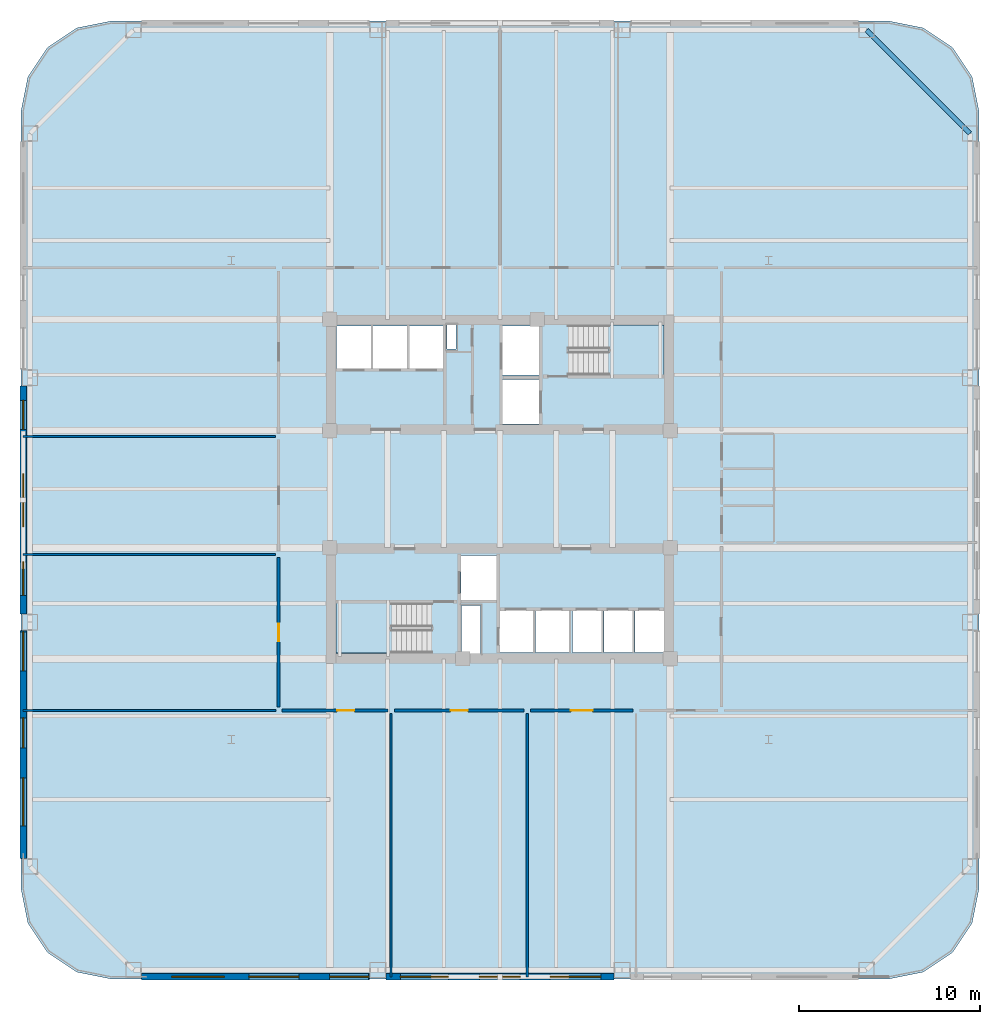
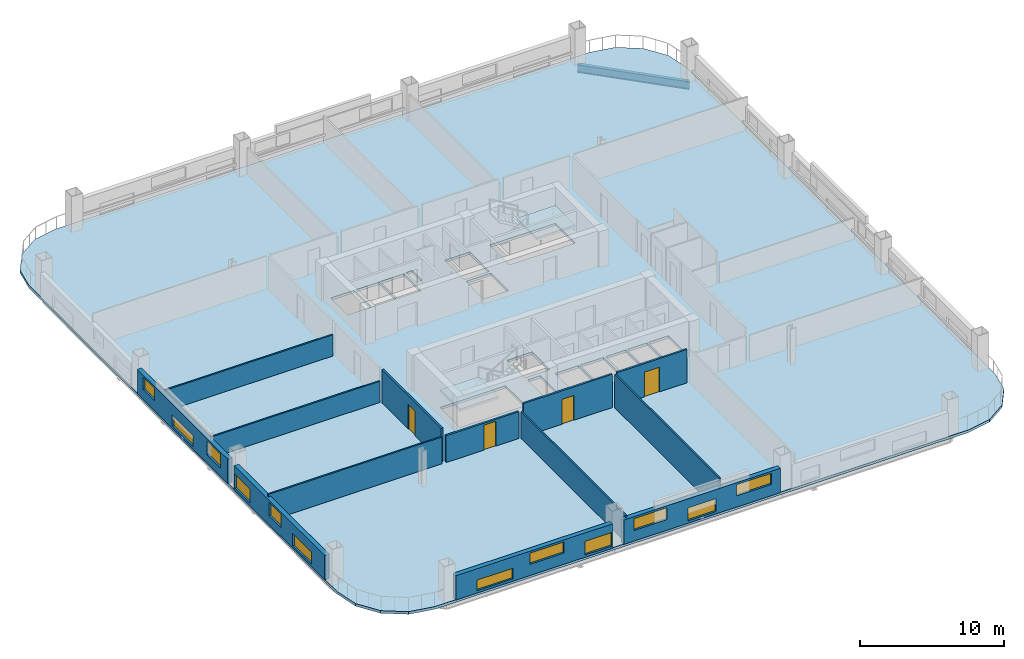
# One storey, part 2 of 12: 13 walls, 12 windows, 4 doors, 3 slabs, 1 beam, 16 openings, 2 elements without a shape of their own.
"""IFC4 building model written with IfcOpenShell, lengths in metres."""

from ifc_helpers import new_model, si_unit, direction, frame, frame_2d, origin, origin_2d, place, context, subcontext, project, spatial, polyline, rectangle, i_section, outline, extrude, material, layer, layer_set, material_profile, profile_set, type_object, element, fill, aggregate, save


model = new_model("IFC4")

# Units and contexts
model_context = context("Model", 3, precision=1e-05, world=origin(), true_north=direction((0.0, 1.0)))
body_context = subcontext(model_context, "Body", "Model", "MODEL_VIEW")
ifc_project = project(units=[si_unit("LENGTHUNIT", "METRE"), si_unit("AREAUNIT", "SQUARE_METRE"), si_unit("VOLUMEUNIT", "CUBIC_METRE"), si_unit("PLANEANGLEUNIT", "RADIAN"), si_unit("MASSUNIT", "GRAM", prefix="KILO")], contexts=[model_context])

# Site, building, storey
site_placement = place(None, origin())
site = spatial("IfcSite", under=ifc_project, at=site_placement, CompositionType="ELEMENT")
building_placement = place(site_placement, origin())
building = spatial("IfcBuilding", under=site, at=building_placement, Name="Qhalaya Broadcast Tower", CompositionType="ELEMENT")
storey_placement = place(building_placement, frame((0.0, 0.0, 47.449951171875)))
storey = spatial("IfcBuildingStorey", under=building, at=storey_placement, Name="L13", CompositionType="ELEMENT", Elevation=47.449951171875)

# Beam
ifc_material_1 = material(Name="Structural Steel ASTM A992 Grade 50", Category="steel")
ifc_material_profile = material_profile(ifc_material_1, i_section(OverallWidth=0.25390625, OverallDepth=0.68310546875, WebThickness=0.012451171875, FlangeThickness=0.01904296875, at=origin_2d()), Name="W27X94")
ifc_profile_set = profile_set([ifc_material_profile], Name="Structural Steel ASTM A992 Grade 50")
beam_type = type_object("IfcBeamType", Name="Perimeter Ring Spandrel Beam SP1", PredefinedType="SPANDREL", material=ifc_profile_set)
beam_placement = place(storey_placement, frame((25.89990234375, 20.199951171875, -0.5615234375), z_axis=(-0.707106781187, 0.707106781187, 0.0), x_axis=(-0.707106781187, -0.707106781187, 0.0)))
element("IfcBeam", 1, at=beam_placement, inside=storey, type_object=beam_type, Name="L13 SP1 L13-SPR-08", PredefinedType="SPANDREL", context=body_context, shape_type="SweptSolid", body=[
    extrude(i_section(OverallWidth=0.25390625, OverallDepth=0.68310546875, WebThickness=0.012451171875, FlangeThickness=0.01904296875, at=origin_2d()), origin(), (0.0, 0.0, 1.0), 8.06103515625),
])

# Stair, slab
ifc_material_2 = material(Name="Concrete C40/50", Category="concrete")
stair_type = type_object("IfcStairType", Name="Protected Dogleg Core Stair 3150", PredefinedType="TWO_STRAIGHT_RUN_STAIR", material=ifc_material_2)
stair_1_placement = place(storey_placement, origin())
stair_1 = element("IfcStair", 2, at=stair_1_placement, inside=storey, type_object=stair_type, Name="L13 North Core Exit Stair ST-1", PredefinedType="TWO_STRAIGHT_RUN_STAIR")
ifc_layer_1 = layer(ifc_material_2, 0.199951171875, Name="Concrete C40/50")
ifc_layer_set_1 = layer_set([ifc_layer_1], Name="Concrete C40/50")
slab_type_1 = type_object("IfcSlabType", Name="Stair & Ramp Half-Landing Slab 200", PredefinedType="LANDING", material=ifc_layer_set_1)
slab_1_placement = place(storey_placement, frame((0.0, 0.0, 1.324951171875)))
slab_1 = element("IfcSlab", 3, at=slab_1_placement, type_object=slab_type_1, Name="ST-1 landing 1", PredefinedType="LANDING", context=body_context, shape_type="SweptSolid", body=[
    extrude(outline(polyline([(5.955078125, 6.8798828125), (9.050048828125, 6.8798828125), (9.050048828125, 9.639892578125), (5.955078125, 9.639892578125), (5.955078125, 6.8798828125)])), origin(), (0.0, 0.0, 1.0), 0.2001953125),
])
aggregate(stair_1, [slab_1])

stair_2_placement = place(storey_placement, origin())
stair_2 = element("IfcStair", 4, at=stair_2_placement, inside=storey, type_object=stair_type, Name="L13 South Core Exit Stair ST-2", PredefinedType="TWO_STRAIGHT_RUN_STAIR")
slab_2_placement = place(storey_placement, frame((0.0, 0.0, 1.324951171875)))
slab_2 = element("IfcSlab", 5, at=slab_2_placement, type_object=slab_type_1, Name="ST-2 landing 1", PredefinedType="LANDING", context=body_context, shape_type="SweptSolid", body=[
    extrude(outline(polyline([(-5.955078125, -5.679931640625), (-9.050048828125, -5.679931640625), (-9.050048828125, -8.43994140625), (-5.955078125, -8.43994140625), (-5.955078125, -5.679931640625)])), origin(), (0.0, 0.0, 1.0), 0.2001953125),
])
aggregate(stair_2, [slab_2])

# Slab
ifc_layer_2 = layer(ifc_material_2, 0.219970703125, Name="Concrete C40/50")
ifc_layer_set_2 = layer_set([ifc_layer_2], Name="Concrete C40/50")
slab_type_2 = type_object("IfcSlabType", Name="Tower Composite Floor Slab 220", PredefinedType="FLOOR", material=ifc_layer_set_2)
slab_3_placement = place(storey_placement, frame((0.0, 0.0, -0.219970703125)))
element("IfcSlab", 6, at=slab_3_placement, inside=storey, type_object=slab_type_2, Name="L13 Main Structural Floor Slab", PredefinedType="FLOOR", context=body_context, shape_type="SweptSolid", body=[
    extrude(outline(polyline([(21.39990234375, -26.39990234375), (23.3134765625, -26.019287109375), (24.935546875, -24.935546875), (26.019287109375, -23.3134765625), (26.39990234375, -21.39990234375), (26.39990234375, 21.39990234375), (26.019287109375, 23.3134765625), (24.935546875, 24.935546875), (23.3134765625, 26.019287109375), (21.39990234375, 26.39990234375), (-21.39990234375, 26.39990234375), (-23.3134765625, 26.019287109375), (-24.935546875, 24.935546875), (-26.019287109375, 23.3134765625), (-26.39990234375, 21.39990234375), (-26.39990234375, -21.39990234375), (-26.019287109375, -23.3134765625), (-24.935546875, -24.935546875), (-23.3134765625, -26.019287109375), (-21.39990234375, -26.39990234375), (21.39990234375, -26.39990234375)]), holes=[polyline([(3.784912109375, 9.639892578125), (9.050048828125, 9.639892578125), (9.050048828125, 6.8798828125), (3.784912109375, 6.8798828125), (3.784912109375, 9.639892578125)]), polyline([(-3.784912109375, -8.43994140625), (-9.050048828125, -8.43994140625), (-9.050048828125, -5.679931640625), (-3.784912109375, -5.679931640625), (-3.784912109375, -8.43994140625)]), polyline([(0.14990234375, 6.64990234375), (2.14990234375, 6.64990234375), (2.14990234375, 4.199951171875), (0.14990234375, 4.199951171875), (0.14990234375, 6.64990234375)]), polyline([(0.14990234375, 9.60009765625), (2.14990234375, 9.60009765625), (2.14990234375, 6.89990234375), (0.14990234375, 6.89990234375), (0.14990234375, 9.60009765625)]), polyline([(-2.14990234375, -3.050048828125), (-0.14990234375, -3.050048828125), (-0.14990234375, -5.5), (-2.14990234375, -5.5), (-2.14990234375, -3.050048828125)]), polyline([(-9.0, 9.60009765625), (-7.1201171875, 9.60009765625), (-7.1201171875, 7.25), (-9.0, 7.25), (-9.0, 9.60009765625)]), polyline([(-7.0, 9.60009765625), (-5.1201171875, 9.60009765625), (-5.1201171875, 7.25), (-7.0, 7.25), (-7.0, 9.60009765625)]), polyline([(-5.0, 9.60009765625), (-3.1201171875, 9.60009765625), (-3.1201171875, 7.25), (-5.0, 7.25), (-5.0, 9.60009765625)]), polyline([(-0.050048828125, -6.10009765625), (1.830078125, -6.10009765625), (1.830078125, -8.39990234375), (-0.050048828125, -8.39990234375), (-0.050048828125, -6.10009765625)]), polyline([(1.949951171875, -6.10009765625), (3.830078125, -6.10009765625), (3.830078125, -8.39990234375), (1.949951171875, -8.39990234375), (1.949951171875, -6.10009765625)]), polyline([(4.0, -6.10009765625), (5.60009765625, -6.10009765625), (5.60009765625, -8.39990234375), (4.0, -8.39990234375), (4.0, -6.10009765625)]), polyline([(5.719970703125, -6.10009765625), (7.320068359375, -6.10009765625), (7.320068359375, -8.39990234375), (5.719970703125, -8.39990234375), (5.719970703125, -6.10009765625)]), polyline([(7.43994140625, -6.10009765625), (9.0400390625, -6.10009765625), (9.0400390625, -8.39990234375), (7.43994140625, -8.39990234375), (7.43994140625, -6.10009765625)]), polyline([(-2.919921875, 9.659912109375), (-2.419921875, 9.659912109375), (-2.419921875, 8.320068359375), (-2.919921875, 8.320068359375), (-2.919921875, 9.659912109375)]), polyline([(-2.1201171875, -5.820068359375), (-1.080078125, -5.820068359375), (-1.080078125, -8.4599609375), (-2.1201171875, -8.4599609375), (-2.1201171875, -5.820068359375)])]), origin(), (0.0, 0.0, 1.0), 0.219970703125),
])

# Wall, opening, door
ifc_material_3 = material(Name="Gypsum Acoustic Partition")
ifc_layer_3 = layer(ifc_material_3, 0.14990234375, Name="Gypsum Acoustic Partition")
ifc_layer_set_3 = layer_set([ifc_layer_3], Name="Gypsum Acoustic Partition")
wall_type_1 = type_object("IfcWallType", Name="Corridor & Tenancy Acoustic Partition 150", PredefinedType="PARTITIONING", material=ifc_layer_set_3)
wall_1_placement = place(storey_placement, frame((-12.02001953125, -11.60009765625, 0.0), z_axis=(0.0, 0.0, 1.0), x_axis=(1.0, 0.0, 0.0)))
wall_1 = element("IfcWall", 7, at=wall_1_placement, inside=storey, type_object=wall_type_1, Name="L13 Partition Wall W-COR-05", PredefinedType="PARTITIONING", context=body_context, shape_type="SweptSolid", body=[
    extrude(rectangle(XDim=5.840087890625, YDim=0.14990234375, at=frame_2d((2.919921875, 0.0))), origin(), (0.0, 0.0, 1.0), 2.274169921875),
])
opening_1_placement = place(wall_1_placement, frame((3.044921875, 0.0, 0.0)))
opening_1 = element("IfcOpeningElement", 8, at=opening_1_placement, cuts=wall_1, Name="Opening D10", PredefinedType="OPENING", context=body_context, shape_type="SweptSolid", body=[
    extrude(rectangle(XDim=0.949951171875, YDim=2.10009765625, at=frame_2d((0.47509765625, 1.050048828125))), frame((0.0, 0.0869140625, 0.0), z_axis=(0.0, -1.0, 0.0), x_axis=(1.0, 0.0, 0.0)), (0.0, 0.0, 1.0), 0.173828125),
])
ifc_material_4 = material(Name="Timber Veneer Acoustic Door", Category="wood")
door_type_1 = type_object("IfcDoorType", Name="Cellular Office & Edit Booth Door D10", OperationType="NOTDEFINED", PredefinedType="DOOR", material=ifc_material_4)
door_1_placement = place(opening_1_placement, origin())
door_1 = element("IfcDoor", 9, at=door_1_placement, inside=storey, type_object=door_type_1, Name="L13 Door D-RM05", OperationType="SINGLE_SWING_LEFT", OverallHeight=2.10009765625, OverallWidth=0.949951171875, PredefinedType="DOOR", context=body_context, shape_type="SweptSolid", body=[
    extrude(rectangle(XDim=0.949951171875, YDim=2.10009765625, at=frame_2d((0.47509765625, 1.050048828125))), frame((0.0, 0.02490234375, 0.0), z_axis=(0.0, -1.0, 0.0), x_axis=(1.0, 0.0, 0.0)), (0.0, 0.0, 1.0), 0.050048828125),
])
fill(opening_1, door_1)

wall_2_placement = place(storey_placement, frame((-5.820068359375, -11.60009765625, 0.0), z_axis=(0.0, 0.0, 1.0), x_axis=(1.0, 0.0, 0.0)))
wall_2 = element("IfcWall", 10, at=wall_2_placement, inside=storey, type_object=wall_type_1, Name="L13 Partition Wall W-COR-06", PredefinedType="PARTITIONING", context=body_context, shape_type="SweptSolid", body=[
    extrude(rectangle(XDim=7.14013671875, YDim=0.14990234375, at=frame_2d((3.570068359375, 0.0))), origin(), (0.0, 0.0, 1.0), 2.830078125),
])
opening_2_placement = place(wall_2_placement, frame((3.094970703125, 0.0, 0.0)))
opening_2 = element("IfcOpeningElement", 11, at=opening_2_placement, cuts=wall_2, Name="Opening D10", PredefinedType="OPENING", context=body_context, shape_type="SweptSolid", body=[
    extrude(rectangle(XDim=0.949951171875, YDim=2.10009765625, at=frame_2d((0.47509765625, 1.050048828125))), frame((0.0, 0.0869140625, 0.0), z_axis=(0.0, -1.0, 0.0), x_axis=(1.0, 0.0, 0.0)), (0.0, 0.0, 1.0), 0.173828125),
])
door_2_placement = place(opening_2_placement, origin())
door_2 = element("IfcDoor", 12, at=door_2_placement, inside=storey, type_object=door_type_1, Name="L13 Door D-RM06", OperationType="SINGLE_SWING_RIGHT", OverallHeight=2.10009765625, OverallWidth=0.949951171875, PredefinedType="DOOR", context=body_context, shape_type="SweptSolid", body=[
    extrude(rectangle(XDim=0.949951171875, YDim=2.10009765625, at=frame_2d((0.47509765625, 1.050048828125))), frame((0.0, 0.02490234375, 0.0), z_axis=(0.0, -1.0, 0.0), x_axis=(1.0, 0.0, 0.0)), (0.0, 0.0, 1.0), 0.050048828125),
])
fill(opening_2, door_2)

wall_3_placement = place(storey_placement, frame((1.679931640625, -11.60009765625, 0.0), z_axis=(0.0, 0.0, 1.0), x_axis=(1.0, 0.0, 0.0)))
wall_3 = element("IfcWall", 13, at=wall_3_placement, inside=storey, type_object=wall_type_1, Name="L13 Partition Wall W-COR-07", PredefinedType="PARTITIONING", context=body_context, shape_type="SweptSolid", body=[
    extrude(rectangle(XDim=5.64013671875, YDim=0.14990234375, at=frame_2d((2.820068359375, 0.0))), origin(), (0.0, 0.0, 1.0), 2.830078125),
])
opening_3_placement = place(wall_3_placement, frame((2.219970703125, 0.0, 0.0)))
opening_3 = element("IfcOpeningElement", 14, at=opening_3_placement, cuts=wall_3, Name="Opening D11", PredefinedType="OPENING", context=body_context, shape_type="SweptSolid", body=[
    extrude(rectangle(XDim=1.199951171875, YDim=2.10009765625, at=frame_2d((0.60009765625, 1.050048828125))), frame((0.0, 0.0869140625, 0.0), z_axis=(0.0, -1.0, 0.0), x_axis=(1.0, 0.0, 0.0)), (0.0, 0.0, 1.0), 0.173828125),
])
ifc_material_5 = material(Name="Anodised Aluminium Glazed Door", Category="aluminium")
door_type_2 = type_object("IfcDoorType", Name="Conference, Boardroom & Studio Control Door D11", OperationType="NOTDEFINED", PredefinedType="DOOR", material=ifc_material_5)
door_3_placement = place(opening_3_placement, origin())
door_3 = element("IfcDoor", 15, at=door_3_placement, inside=storey, type_object=door_type_2, Name="L13 Door D-RM07", OperationType="SINGLE_SWING_LEFT", OverallHeight=2.10009765625, OverallWidth=1.199951171875, PredefinedType="DOOR", context=body_context, shape_type="SweptSolid", body=[
    extrude(rectangle(XDim=1.199951171875, YDim=2.10009765625, at=frame_2d((0.60009765625, 1.050048828125))), frame((0.0, 0.02490234375, 0.0), z_axis=(0.0, -1.0, 0.0), x_axis=(1.0, 0.0, 0.0)), (0.0, 0.0, 1.0), 0.050048828125),
])
fill(opening_3, door_3)

wall_4_placement = place(storey_placement, frame((-12.199951171875, -11.419921875, 0.0), z_axis=(0.0, 0.0, 1.0), x_axis=(0.0, 1.0, 0.0)))
wall_4 = element("IfcWall", 16, at=wall_4_placement, inside=storey, type_object=wall_type_1, Name="L13 Partition Wall W-COR-09", PredefinedType="PARTITIONING", context=body_context, shape_type="SweptSolid", body=[
    extrude(rectangle(XDim=8.239990234375, YDim=0.14990234375, at=frame_2d((4.1201171875, 0.0))), origin(), (0.0, 0.0, 1.0), 2.830078125),
])
opening_4_placement = place(wall_4_placement, frame((3.64501953125, 0.0, 0.0)))
opening_4 = element("IfcOpeningElement", 17, at=opening_4_placement, cuts=wall_4, Name="Opening D10", PredefinedType="OPENING", context=body_context, shape_type="SweptSolid", body=[
    extrude(rectangle(XDim=0.949951171875, YDim=2.10009765625, at=frame_2d((0.47509765625, 1.050048828125))), frame((0.0, 0.0869140625, 0.0), z_axis=(0.0, -1.0, 0.0), x_axis=(1.0, 0.0, 0.0)), (0.0, 0.0, 1.0), 0.173828125),
])
door_4_placement = place(opening_4_placement, origin())
door_4 = element("IfcDoor", 18, at=door_4_placement, inside=storey, type_object=door_type_1, Name="L13 Door D-RM09", OperationType="SINGLE_SWING_LEFT", OverallHeight=2.10009765625, OverallWidth=0.949951171875, PredefinedType="DOOR", context=body_context, shape_type="SweptSolid", body=[
    extrude(rectangle(XDim=0.949951171875, YDim=2.10009765625, at=frame_2d((0.47509765625, 1.050048828125))), frame((0.0, 0.02490234375, 0.0), z_axis=(0.0, -1.0, 0.0), x_axis=(1.0, 0.0, 0.0)), (0.0, 0.0, 1.0), 0.050048828125),
])
fill(opening_4, door_4)

# Wall, openings, windows
ifc_material_6 = material(Name="Precast Concrete C40/50", Category="concrete")
ifc_layer_4 = layer(ifc_material_6, 0.360107421875, Name="Precast Concrete C40/50")
ifc_layer_set_4 = layer_set([ifc_layer_4], Name="Precast Concrete C40/50")
wall_type_2 = type_object("IfcWallType", Name="Insulated Precast Terracotta Exterior Wall 360", PredefinedType="SOLIDWALL", material=ifc_layer_set_4)
wall_5_placement = place(storey_placement, frame((6.283203125, -26.260009765625, 0.0), z_axis=(0.0, 0.0, 1.0), x_axis=(-1.0, 0.0, 0.0)))
wall_5 = element("IfcWall", 19, at=wall_5_placement, inside=storey, type_object=wall_type_2, Name="L13 Exoskeleton Diagrid Infill Wall S2", PredefinedType="SOLIDWALL", context=body_context, shape_type="SweptSolid", body=[
    extrude(rectangle(XDim=12.56640625, YDim=0.360107421875, at=frame_2d((6.283203125, 0.0))), origin(), (0.0, 0.0, 1.0), 2.067138671875),
])
opening_5_placement = place(wall_5_placement, frame((0.720947265625, 0.0, 0.949951171875)))
opening_5 = element("IfcOpeningElement", 20, at=opening_5_placement, cuts=wall_5, Name="Opening W11", PredefinedType="OPENING", context=body_context, shape_type="SweptSolid", body=[
    extrude(rectangle(XDim=2.800048828125, YDim=0.949951171875, at=frame_2d((1.39990234375, 0.47509765625))), frame((0.0, 0.192138671875, 0.0), z_axis=(0.0, -1.0, 0.0), x_axis=(1.0, 0.0, 0.0)), (0.0, 0.0, 1.0), 0.384033203125),
])
opening_6_placement = place(wall_5_placement, frame((5.1708984375, 0.0, 0.199951171875)))
opening_6 = element("IfcOpeningElement", 21, at=opening_6_placement, cuts=wall_5, Name="Opening W11", PredefinedType="OPENING", context=body_context, shape_type="SweptSolid", body=[
    extrude(rectangle(XDim=2.25, YDim=1.10009765625, at=frame_2d((1.125, 0.550048828125))), frame((0.0, 0.192138671875, 0.0), z_axis=(0.0, -1.0, 0.0), x_axis=(1.0, 0.0, 0.0)), (0.0, 0.0, 1.0), 0.384033203125),
])
opening_7_placement = place(wall_5_placement, frame((9.12109375, 0.0, 0.89990234375)))
opening_7 = element("IfcOpeningElement", 22, at=opening_7_placement, cuts=wall_5, Name="Opening W11", PredefinedType="OPENING", context=body_context, shape_type="SweptSolid", body=[
    extrude(rectangle(XDim=2.64990234375, YDim=1.0, at=frame_2d((1.324951171875, 0.5))), frame((0.0, 0.192138671875, 0.0), z_axis=(0.0, -1.0, 0.0), x_axis=(1.0, 0.0, 0.0)), (0.0, 0.0, 1.0), 0.384033203125),
])
ifc_material_7 = material(Name="Solar-Control Low-E Triple Glazing", Category="glass")
window_type = type_object("IfcWindowType", Name="Odd-Block Diagrid Infill Window W11", PartitioningType="SINGLE_PANEL", PredefinedType="WINDOW", material=ifc_material_7)
window_1_placement = place(opening_5_placement, origin())
window_1 = element("IfcWindow", 23, at=window_1_placement, inside=storey, type_object=window_type, Name="L13 Diagrid Infill Window W11-S4", OverallHeight=0.949951171875, OverallWidth=2.800048828125, PartitioningType="SINGLE_PANEL", PredefinedType="WINDOW", context=body_context, shape_type="SweptSolid", body=[
    extrude(rectangle(XDim=2.800048828125, YDim=0.949951171875, at=frame_2d((1.39990234375, 0.47509765625))), frame((0.0, 0.030029296875, 0.0), z_axis=(0.0, -1.0, 0.0), x_axis=(1.0, 0.0, 0.0)), (0.0, 0.0, 1.0), 0.06005859375),
])
fill(opening_5, window_1)
window_2_placement = place(opening_6_placement, origin())
window_2 = element("IfcWindow", 24, at=window_2_placement, inside=storey, type_object=window_type, Name="L13 Diagrid Infill Window W11-S5", OverallHeight=1.10009765625, OverallWidth=2.25, PartitioningType="SINGLE_PANEL", PredefinedType="WINDOW", context=body_context, shape_type="SweptSolid", body=[
    extrude(rectangle(XDim=2.25, YDim=1.10009765625, at=frame_2d((1.125, 0.550048828125))), frame((0.0, 0.030029296875, 0.0), z_axis=(0.0, -1.0, 0.0), x_axis=(1.0, 0.0, 0.0)), (0.0, 0.0, 1.0), 0.06005859375),
])
fill(opening_6, window_2)
window_3_placement = place(opening_7_placement, origin())
window_3 = element("IfcWindow", 25, at=window_3_placement, inside=storey, type_object=window_type, Name="L13 Diagrid Infill Window W11-S6", OverallHeight=1.0, OverallWidth=2.64990234375, PartitioningType="SINGLE_PANEL", PredefinedType="WINDOW", context=body_context, shape_type="SweptSolid", body=[
    extrude(rectangle(XDim=2.64990234375, YDim=1.0, at=frame_2d((1.324951171875, 0.5))), frame((0.0, 0.030029296875, 0.0), z_axis=(0.0, -1.0, 0.0), x_axis=(1.0, 0.0, 0.0)), (0.0, 0.0, 1.0), 0.06005859375),
])
fill(opening_7, window_3)

wall_6_placement = place(storey_placement, frame((-7.183349609375, -26.260009765625, 0.0), z_axis=(0.0, 0.0, 1.0), x_axis=(-1.0, 0.0, 0.0)))
wall_6 = element("IfcWall", 26, at=wall_6_placement, inside=storey, type_object=wall_type_2, Name="L13 Exoskeleton Diagrid Infill Wall S3", PredefinedType="SOLIDWALL", context=body_context, shape_type="SweptSolid", body=[
    extrude(rectangle(XDim=12.57861328125, YDim=0.360107421875, at=frame_2d((6.289306640625, 0.0))), origin(), (0.0, 0.0, 1.0), 2.067138671875),
])
opening_8_placement = place(wall_6_placement, frame((0.054931640625, 0.0, 0.199951171875)))
opening_8 = element("IfcOpeningElement", 27, at=opening_8_placement, cuts=wall_6, Name="Opening W11", PredefinedType="OPENING", context=body_context, shape_type="SweptSolid", body=[
    extrude(rectangle(XDim=2.14990234375, YDim=1.14990234375, at=frame_2d((1.074951171875, 0.574951171875))), frame((0.0, 0.192138671875, 0.0), z_axis=(0.0, -1.0, 0.0), x_axis=(1.0, 0.0, 0.0)), (0.0, 0.0, 1.0), 0.384033203125),
])
opening_9_placement = place(wall_6_placement, frame((3.905029296875, 0.0, 0.949951171875)))
opening_9 = element("IfcOpeningElement", 28, at=opening_9_placement, cuts=wall_6, Name="Opening W11", PredefinedType="OPENING", context=body_context, shape_type="SweptSolid", body=[
    extrude(rectangle(XDim=2.75, YDim=0.949951171875, at=frame_2d((1.375, 0.47509765625))), frame((0.0, 0.192138671875, 0.0), z_axis=(0.0, -1.0, 0.0), x_axis=(1.0, 0.0, 0.0)), (0.0, 0.0, 1.0), 0.384033203125),
])
opening_10_placement = place(wall_6_placement, frame((8.0048828125, 0.0, 0.199951171875)))
opening_10 = element("IfcOpeningElement", 29, at=opening_10_placement, cuts=wall_6, Name="Opening W11", PredefinedType="OPENING", context=body_context, shape_type="SweptSolid", body=[
    extrude(rectangle(XDim=2.89990234375, YDim=0.89990234375, at=frame_2d((1.449951171875, 0.449951171875))), frame((0.0, 0.192138671875, 0.0), z_axis=(0.0, -1.0, 0.0), x_axis=(1.0, 0.0, 0.0)), (0.0, 0.0, 1.0), 0.384033203125),
])
window_4_placement = place(opening_8_placement, origin())
window_4 = element("IfcWindow", 30, at=window_4_placement, inside=storey, type_object=window_type, Name="L13 Diagrid Infill Window W11-S7", OverallHeight=1.14990234375, OverallWidth=2.14990234375, PartitioningType="SINGLE_PANEL", PredefinedType="WINDOW", context=body_context, shape_type="SweptSolid", body=[
    extrude(rectangle(XDim=2.14990234375, YDim=1.14990234375, at=frame_2d((1.074951171875, 0.574951171875))), frame((0.0, 0.030029296875, 0.0), z_axis=(0.0, -1.0, 0.0), x_axis=(1.0, 0.0, 0.0)), (0.0, 0.0, 1.0), 0.06005859375),
])
fill(opening_8, window_4)
window_5_placement = place(opening_9_placement, origin())
window_5 = element("IfcWindow", 31, at=window_5_placement, inside=storey, type_object=window_type, Name="L13 Diagrid Infill Window W11-S8", OverallHeight=0.949951171875, OverallWidth=2.75, PartitioningType="SINGLE_PANEL", PredefinedType="WINDOW", context=body_context, shape_type="SweptSolid", body=[
    extrude(rectangle(XDim=2.75, YDim=0.949951171875, at=frame_2d((1.375, 0.47509765625))), frame((0.0, 0.030029296875, 0.0), z_axis=(0.0, -1.0, 0.0), x_axis=(1.0, 0.0, 0.0)), (0.0, 0.0, 1.0), 0.06005859375),
])
fill(opening_9, window_5)
window_6_placement = place(opening_10_placement, origin())
window_6 = element("IfcWindow", 32, at=window_6_placement, inside=storey, type_object=window_type, Name="L13 Diagrid Infill Window W11-S9", OverallHeight=0.89990234375, OverallWidth=2.89990234375, PartitioningType="SINGLE_PANEL", PredefinedType="WINDOW", context=body_context, shape_type="SweptSolid", body=[
    extrude(rectangle(XDim=2.89990234375, YDim=0.89990234375, at=frame_2d((1.449951171875, 0.449951171875))), frame((0.0, 0.030029296875, 0.0), z_axis=(0.0, -1.0, 0.0), x_axis=(1.0, 0.0, 0.0)), (0.0, 0.0, 1.0), 0.06005859375),
])
fill(opening_10, window_6)

wall_7_placement = place(storey_placement, frame((-26.260009765625, -19.761962890625, 0.0), z_axis=(0.0, 0.0, 1.0), x_axis=(0.0, 1.0, 0.0)))
wall_7 = element("IfcWall", 33, at=wall_7_placement, inside=storey, type_object=wall_type_2, Name="L13 Exoskeleton Diagrid Infill Wall W1", PredefinedType="SOLIDWALL", context=body_context, shape_type="SweptSolid", body=[
    extrude(rectangle(XDim=12.57861328125, YDim=0.360107421875, at=frame_2d((6.289306640625, 0.0))), origin(), (0.0, 0.0, 1.0), 2.067138671875),
])
opening_11_placement = place(wall_7_placement, frame((1.800048828125, 0.0, 0.199951171875)))
opening_11 = element("IfcOpeningElement", 34, at=opening_11_placement, cuts=wall_7, Name="Opening W11", PredefinedType="OPENING", context=body_context, shape_type="SweptSolid", body=[
    extrude(rectangle(XDim=2.64990234375, YDim=1.050048828125, at=frame_2d((1.324951171875, 0.52490234375))), frame((0.0, 0.192138671875, 0.0), z_axis=(0.0, -1.0, 0.0), x_axis=(1.0, 0.0, 0.0)), (0.0, 0.0, 1.0), 0.384033203125),
])
opening_12_placement = place(wall_7_placement, frame((6.10009765625, 0.0, 0.75)))
opening_12 = element("IfcOpeningElement", 35, at=opening_12_placement, cuts=wall_7, Name="Opening W11", PredefinedType="OPENING", context=body_context, shape_type="SweptSolid", body=[
    extrude(rectangle(XDim=1.64990234375, YDim=1.14990234375, at=frame_2d((0.824951171875, 0.574951171875))), frame((0.0, 0.192138671875, 0.0), z_axis=(0.0, -1.0, 0.0), x_axis=(1.0, 0.0, 0.0)), (0.0, 0.0, 1.0), 0.384033203125),
])
opening_13_placement = place(wall_7_placement, frame((10.35009765625, 0.0, 0.199951171875)))
opening_13 = element("IfcOpeningElement", 36, at=opening_13_placement, cuts=wall_7, Name="Opening W11", PredefinedType="OPENING", context=body_context, shape_type="SweptSolid", body=[
    extrude(rectangle(XDim=2.14990234375, YDim=1.199951171875, at=frame_2d((1.074951171875, 0.60009765625))), frame((0.0, 0.192138671875, 0.0), z_axis=(0.0, -1.0, 0.0), x_axis=(1.0, 0.0, 0.0)), (0.0, 0.0, 1.0), 0.384033203125),
])
window_7_placement = place(opening_11_placement, origin())
window_7 = element("IfcWindow", 37, at=window_7_placement, inside=storey, type_object=window_type, Name="L13 Diagrid Infill Window W11-W1", OverallHeight=1.050048828125, OverallWidth=2.64990234375, PartitioningType="SINGLE_PANEL", PredefinedType="WINDOW", context=body_context, shape_type="SweptSolid", body=[
    extrude(rectangle(XDim=2.64990234375, YDim=1.050048828125, at=frame_2d((1.324951171875, 0.52490234375))), frame((0.0, 0.030029296875, 0.0), z_axis=(0.0, -1.0, 0.0), x_axis=(1.0, 0.0, 0.0)), (0.0, 0.0, 1.0), 0.06005859375),
])
fill(opening_11, window_7)
window_8_placement = place(opening_12_placement, origin())
window_8 = element("IfcWindow", 38, at=window_8_placement, inside=storey, type_object=window_type, Name="L13 Diagrid Infill Window W11-W2", OverallHeight=1.14990234375, OverallWidth=1.64990234375, PartitioningType="SINGLE_PANEL", PredefinedType="WINDOW", context=body_context, shape_type="SweptSolid", body=[
    extrude(rectangle(XDim=1.64990234375, YDim=1.14990234375, at=frame_2d((0.824951171875, 0.574951171875))), frame((0.0, 0.030029296875, 0.0), z_axis=(0.0, -1.0, 0.0), x_axis=(1.0, 0.0, 0.0)), (0.0, 0.0, 1.0), 0.06005859375),
])
fill(opening_12, window_8)
window_9_placement = place(opening_13_placement, origin())
window_9 = element("IfcWindow", 39, at=window_9_placement, inside=storey, type_object=window_type, Name="L13 Diagrid Infill Window W11-W3", OverallHeight=1.199951171875, OverallWidth=2.14990234375, PartitioningType="SINGLE_PANEL", PredefinedType="WINDOW", context=body_context, shape_type="SweptSolid", body=[
    extrude(rectangle(XDim=2.14990234375, YDim=1.199951171875, at=frame_2d((1.074951171875, 0.60009765625))), frame((0.0, 0.030029296875, 0.0), z_axis=(0.0, -1.0, 0.0), x_axis=(1.0, 0.0, 0.0)), (0.0, 0.0, 1.0), 0.06005859375),
])
fill(opening_13, window_9)

wall_8_placement = place(storey_placement, frame((-26.260009765625, -6.283203125, 0.0), z_axis=(0.0, 0.0, 1.0), x_axis=(0.0, 1.0, 0.0)))
wall_8 = element("IfcWall", 40, at=wall_8_placement, inside=storey, type_object=wall_type_2, Name="L13 Exoskeleton Diagrid Infill Wall W2", PredefinedType="SOLIDWALL", context=body_context, shape_type="SweptSolid", body=[
    extrude(rectangle(XDim=12.56640625, YDim=0.360107421875, at=frame_2d((6.283203125, 0.0))), origin(), (0.0, 0.0, 1.0), 2.067138671875),
])
opening_14_placement = place(wall_8_placement, frame((1.02099609375, 0.0, 0.699951171875)))
opening_14 = element("IfcOpeningElement", 41, at=opening_14_placement, cuts=wall_8, Name="Opening W11", PredefinedType="OPENING", context=body_context, shape_type="SweptSolid", body=[
    extrude(rectangle(XDim=1.85009765625, YDim=1.199951171875, at=frame_2d((0.925048828125, 0.60009765625))), frame((0.0, 0.192138671875, 0.0), z_axis=(0.0, -1.0, 0.0), x_axis=(1.0, 0.0, 0.0)), (0.0, 0.0, 1.0), 0.384033203125),
])
opening_15_placement = place(wall_8_placement, frame((4.821044921875, 0.0, 0.199951171875)))
opening_15 = element("IfcOpeningElement", 42, at=opening_15_placement, cuts=wall_8, Name="Opening W11", PredefinedType="OPENING", context=body_context, shape_type="SweptSolid", body=[
    extrude(rectangle(XDim=2.89990234375, YDim=0.949951171875, at=frame_2d((1.449951171875, 0.47509765625))), frame((0.0, 0.192138671875, 0.0), z_axis=(0.0, -1.0, 0.0), x_axis=(1.0, 0.0, 0.0)), (0.0, 0.0, 1.0), 0.384033203125),
])
opening_16_placement = place(wall_8_placement, frame((10.1708984375, 0.0, 0.85009765625)))
opening_16 = element("IfcOpeningElement", 43, at=opening_16_placement, cuts=wall_8, Name="Opening W11", PredefinedType="OPENING", context=body_context, shape_type="SweptSolid", body=[
    extrude(rectangle(XDim=1.60009765625, YDim=1.050048828125, at=frame_2d((0.800048828125, 0.52490234375))), frame((0.0, 0.192138671875, 0.0), z_axis=(0.0, -1.0, 0.0), x_axis=(1.0, 0.0, 0.0)), (0.0, 0.0, 1.0), 0.384033203125),
])
window_10_placement = place(opening_14_placement, origin())
window_10 = element("IfcWindow", 44, at=window_10_placement, inside=storey, type_object=window_type, Name="L13 Diagrid Infill Window W11-W4", OverallHeight=1.199951171875, OverallWidth=1.85009765625, PartitioningType="SINGLE_PANEL", PredefinedType="WINDOW", context=body_context, shape_type="SweptSolid", body=[
    extrude(rectangle(XDim=1.85009765625, YDim=1.199951171875, at=frame_2d((0.925048828125, 0.60009765625))), frame((0.0, 0.030029296875, 0.0), z_axis=(0.0, -1.0, 0.0), x_axis=(1.0, 0.0, 0.0)), (0.0, 0.0, 1.0), 0.06005859375),
])
fill(opening_14, window_10)
window_11_placement = place(opening_15_placement, origin())
window_11 = element("IfcWindow", 45, at=window_11_placement, inside=storey, type_object=window_type, Name="L13 Diagrid Infill Window W11-W5", OverallHeight=0.949951171875, OverallWidth=2.89990234375, PartitioningType="SINGLE_PANEL", PredefinedType="WINDOW", context=body_context, shape_type="SweptSolid", body=[
    extrude(rectangle(XDim=2.89990234375, YDim=0.949951171875, at=frame_2d((1.449951171875, 0.47509765625))), frame((0.0, 0.030029296875, 0.0), z_axis=(0.0, -1.0, 0.0), x_axis=(1.0, 0.0, 0.0)), (0.0, 0.0, 1.0), 0.06005859375),
])
fill(opening_15, window_11)
window_12_placement = place(opening_16_placement, origin())
window_12 = element("IfcWindow", 46, at=window_12_placement, inside=storey, type_object=window_type, Name="L13 Diagrid Infill Window W11-W6", OverallHeight=1.050048828125, OverallWidth=1.60009765625, PartitioningType="SINGLE_PANEL", PredefinedType="WINDOW", context=body_context, shape_type="SweptSolid", body=[
    extrude(rectangle(XDim=1.60009765625, YDim=1.050048828125, at=frame_2d((0.800048828125, 0.52490234375))), frame((0.0, 0.030029296875, 0.0), z_axis=(0.0, -1.0, 0.0), x_axis=(1.0, 0.0, 0.0)), (0.0, 0.0, 1.0), 0.06005859375),
])
fill(opening_16, window_12)

# Walls
ifc_layer_5 = layer(ifc_material_3, 0.1201171875, Name="Gypsum Acoustic Partition")
ifc_layer_set_5 = layer_set([ifc_layer_5], Name="Gypsum Acoustic Partition")
wall_type_3 = type_object("IfcWallType", Name="Office, Booth & Sanitary Partition 120", PredefinedType="PARTITIONING", material=ifc_layer_set_5)
wall_9_placement = place(storey_placement, frame((-26.280029296875, -11.60009765625, 0.0), z_axis=(0.0, 0.0, 1.0), x_axis=(1.0, 0.0, 0.0)))
element("IfcWall", 47, at=wall_9_placement, inside=storey, type_object=wall_type_3, Name="L13 Partition Wall W-BNDW2", PredefinedType="PARTITIONING", context=body_context, shape_type="SweptSolid", body=[
    extrude(rectangle(XDim=13.93994140625, YDim=0.1201171875, at=frame_2d((6.969970703125, 0.0))), origin(), (0.0, 0.0, 1.0), 2.274169921875),
])
wall_10_placement = place(storey_placement, frame((-6.0, -26.280029296875, 0.0), z_axis=(0.0, 0.0, 1.0), x_axis=(0.0, 1.0, 0.0)))
element("IfcWall", 48, at=wall_10_placement, inside=storey, type_object=wall_type_3, Name="L13 Partition Wall W-DIVS1", PredefinedType="PARTITIONING", context=body_context, shape_type="SweptSolid", body=[
    extrude(rectangle(XDim=14.52001953125, YDim=0.1201171875, at=frame_2d((7.260009765625, 0.0))), origin(), (0.0, 0.0, 1.0), 2.274169921875),
])
wall_11_placement = place(storey_placement, frame((1.5, -26.280029296875, 0.0), z_axis=(0.0, 0.0, 1.0), x_axis=(0.0, 1.0, 0.0)))
element("IfcWall", 49, at=wall_11_placement, inside=storey, type_object=wall_type_3, Name="L13 Partition Wall W-DIVS2", PredefinedType="PARTITIONING", context=body_context, shape_type="SweptSolid", body=[
    extrude(rectangle(XDim=14.52001953125, YDim=0.1201171875, at=frame_2d((7.260009765625, 0.0))), origin(), (0.0, 0.0, 1.0), 2.830078125),
])
for number, where, z_axis, x_axis, name in (
    (50, (-26.280029296875, -3.0, 0.0), (0.0, 0.0, 1.0), (1.0, 0.0, 0.0), "L13 Partition Wall W-DIVW1"),
    (51, (-26.280029296875, 3.5, 0.0), (0.0, 0.0, 1.0), (1.0, 0.0, 0.0), "L13 Partition Wall W-DIVW2"),
):
    element("IfcWall", number, at=place(storey_placement, frame(where, z_axis=z_axis, x_axis=x_axis)), inside=storey, type_object=wall_type_3, Name=name, PredefinedType="PARTITIONING", context=body_context, shape_type="SweptSolid", body=[
        extrude(rectangle(XDim=13.919921875, YDim=0.1201171875, at=frame_2d((6.9599609375, 0.0))), origin(), (0.0, 0.0, 1.0), 1.799072265625),
    ])

save(model, "model.ifc")
